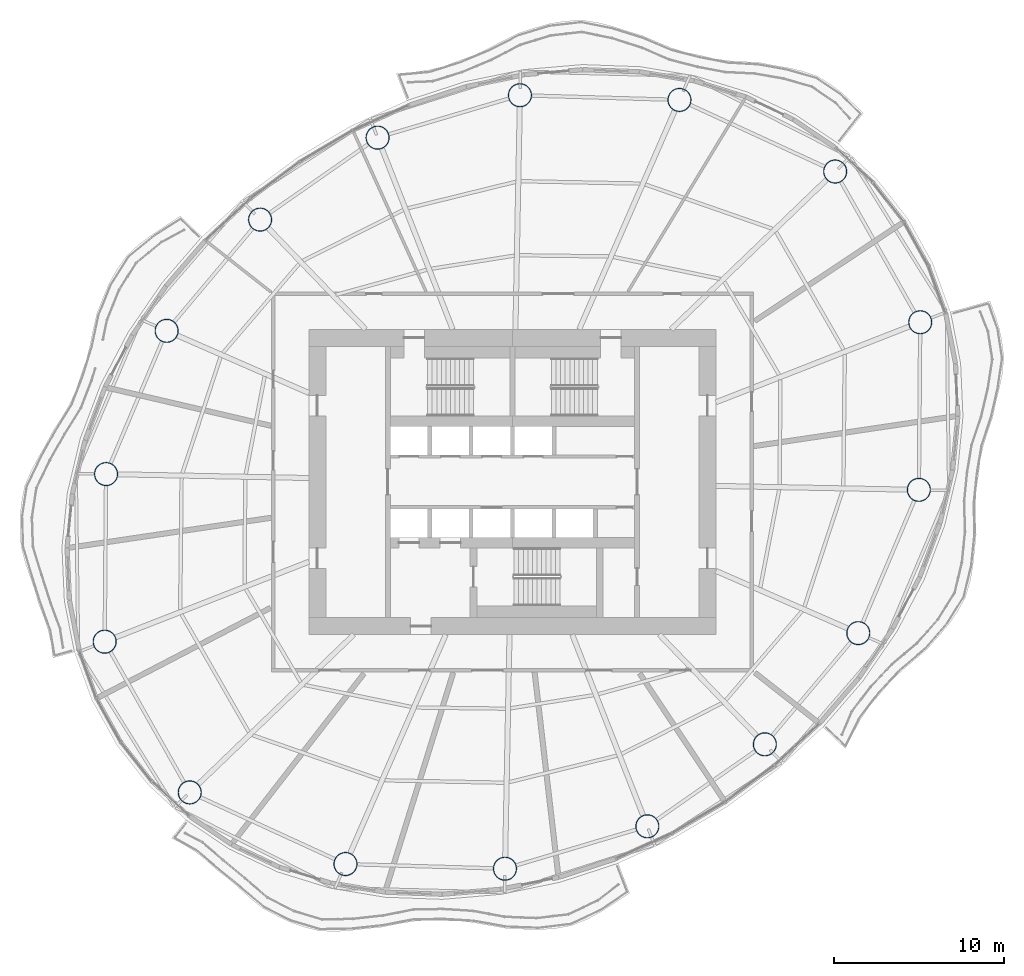
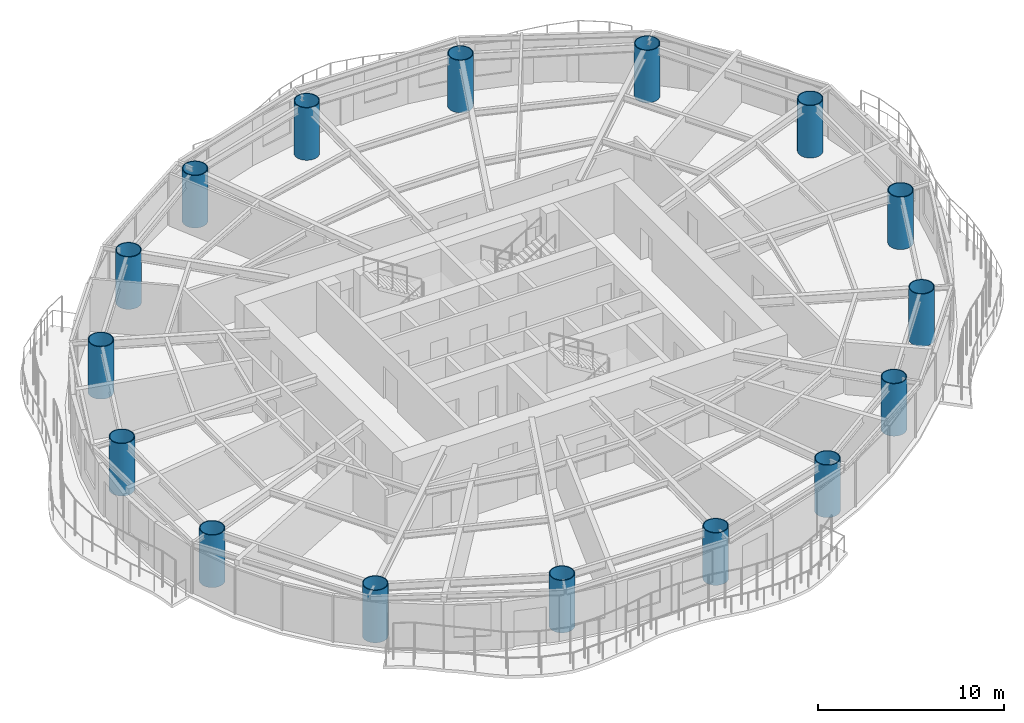
# One storey, part 1 of 15: 16 columns.
"""IFC4 building model written with IfcOpenShell, lengths in metres."""

from ifc_helpers import new_model, si_unit, direction, frame, origin, origin_2d, place, context, subcontext, project, spatial, hollow_circle, extrude, material, material_profile, profile_set, type_object, element, save


model = new_model("IFC4")

# Units and contexts
model_context = context("Model", 3, precision=1e-05, world=origin(), true_north=direction((0.0, 1.0)))
body_context = subcontext(model_context, "Body", "Model", "MODEL_VIEW")
ifc_project = project(units=[si_unit("LENGTHUNIT", "METRE"), si_unit("AREAUNIT", "SQUARE_METRE"), si_unit("VOLUMEUNIT", "CUBIC_METRE"), si_unit("PLANEANGLEUNIT", "RADIAN"), si_unit("MASSUNIT", "GRAM", prefix="KILO")], contexts=[model_context])

# Site, building, storey
site_placement = place(None, origin())
site = spatial("IfcSite", under=ifc_project, at=site_placement, CompositionType="ELEMENT")
building_placement = place(site_placement, origin())
building = spatial("IfcBuilding", under=site, at=building_placement, Name="Vermilion Reach Broadcast Tower", CompositionType="ELEMENT")
storey_placement = place(building_placement, frame((0.0, 0.0, 168.60009765625)))
storey = spatial("IfcBuildingStorey", under=building, at=storey_placement, Name="L40", CompositionType="ELEMENT", Elevation=168.60009765625)

# Columns
ifc_material = material(Name="Concrete C70 infill in steel S460NL tube", Category="concrete")
ifc_material_profile = material_profile(ifc_material, hollow_circle(Radius=0.699951171875, WallThickness=0.050048828125, at=origin_2d()), Name="Concrete C70 infill in steel S460NL tube CFT 1400x50")
ifc_profile_set = profile_set([ifc_material_profile], Name="Concrete C70 infill in steel S460NL tube")
column_type = type_object("IfcColumnType", Name="MC3 CFT 1400x50", PredefinedType="COLUMN", material=ifc_profile_set)
for number, where, z_axis, x_axis, name in (
    (1, (13.02587890625, 18.302734375, 0.0), (0.0, 0.0, 1.0), (1.0, 0.0, 0.0), "Mega-column MC3-01"),
    (2, (3.84521484375, 22.524169921875, 0.0), (0.0, 0.0, 1.0), (1.0, 0.0, 0.0), "Mega-column MC3-02"),
    (3, (-5.558349609375, 22.800048828125, 0.0), (0.0, 0.0, 1.0), (1.0, 0.0, 0.0), "Mega-column MC3-03"),
    (4, (-13.95166015625, 20.30078125, 0.0), (0.0, 0.0, 1.0), (1.0, 0.0, 0.0), "Mega-column MC3-04"),
    (5, (-20.879150390625, 15.46728515625, 0.0), (0.0, 0.0, 1.0), (1.0, 0.0, 0.0), "Mega-column MC3-05"),
    (6, (-26.38818359375, 8.91162109375, 0.0), (0.0, 0.0, 1.0), (1.0, 0.0, 0.0), "Mega-column MC3-06"),
    (7, (-29.95947265625, 0.464111328125, 0.0), (0.0, 0.0, 1.0), (1.0, 0.0, 0.0), "Mega-column MC3-07"),
    (8, (-30.04052734375, -9.41650390625, 0.0), (0.0, 0.0, 1.0), (1.0, 0.0, 0.0), "Mega-column MC3-08"),
    (9, (-25.02587890625, -18.302734375, 0.0), (0.0, 0.0, 1.0), (1.0, 0.0, 0.0), "Mega-column MC3-09"),
    (10, (-15.84521484375, -22.524169921875, 0.0), (0.0, 0.0, 1.0), (1.0, 0.0, 0.0), "Mega-column MC3-10"),
    (11, (-6.441650390625, -22.800048828125, 0.0), (0.0, 0.0, 1.0), (1.0, 0.0, 0.0), "Mega-column MC3-11"),
    (12, (1.95166015625, -20.30078125, 0.0), (0.0, 0.0, 1.0), (1.0, 0.0, 0.0), "Mega-column MC3-12"),
    (13, (8.879150390625, -15.46728515625, 0.0), (0.0, 0.0, 1.0), (1.0, 0.0, 0.0), "Mega-column MC3-13"),
    (14, (14.38818359375, -8.91162109375, 0.0), (0.0, 0.0, 1.0), (1.0, 0.0, 0.0), "Mega-column MC3-14"),
    (15, (17.95947265625, -0.464111328125, 0.0), (0.0, 0.0, 1.0), (1.0, 0.0, 0.0), "Mega-column MC3-15"),
    (16, (18.04052734375, 9.41650390625, 0.0), (0.0, 0.0, 1.0), (1.0, 0.0, 0.0), "Mega-column MC3-16"),
):
    element("IfcColumn", number, at=place(storey_placement, frame(where, z_axis=z_axis, x_axis=x_axis)), inside=storey, type_object=column_type, Name=name, PredefinedType="COLUMN", context=body_context, shape_type="SweptSolid", body=[
        extrude(hollow_circle(Radius=0.699951171875, WallThickness=0.050048828125, at=origin_2d()), origin(), (0.0, 0.0, 1.0), 3.449951171875),
    ])

save(model, "model.ifc")
